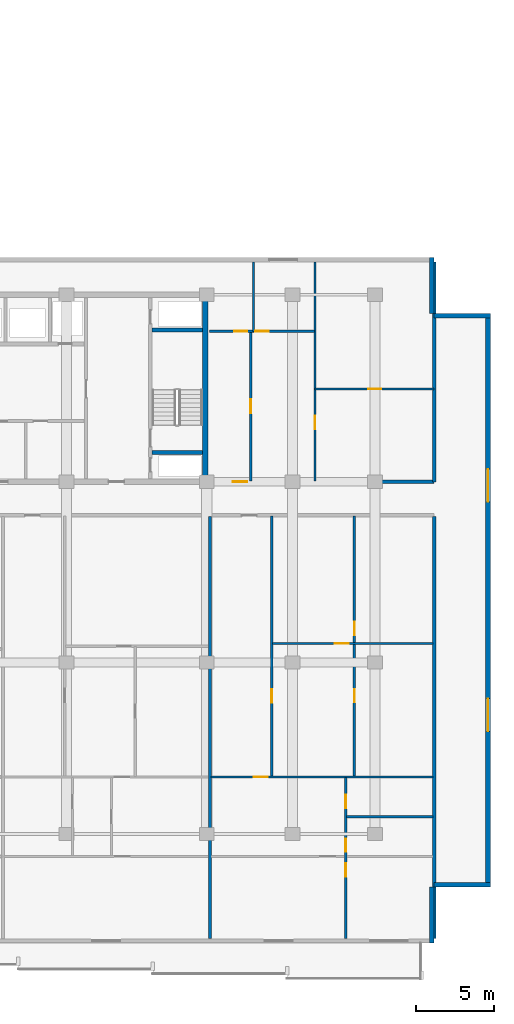
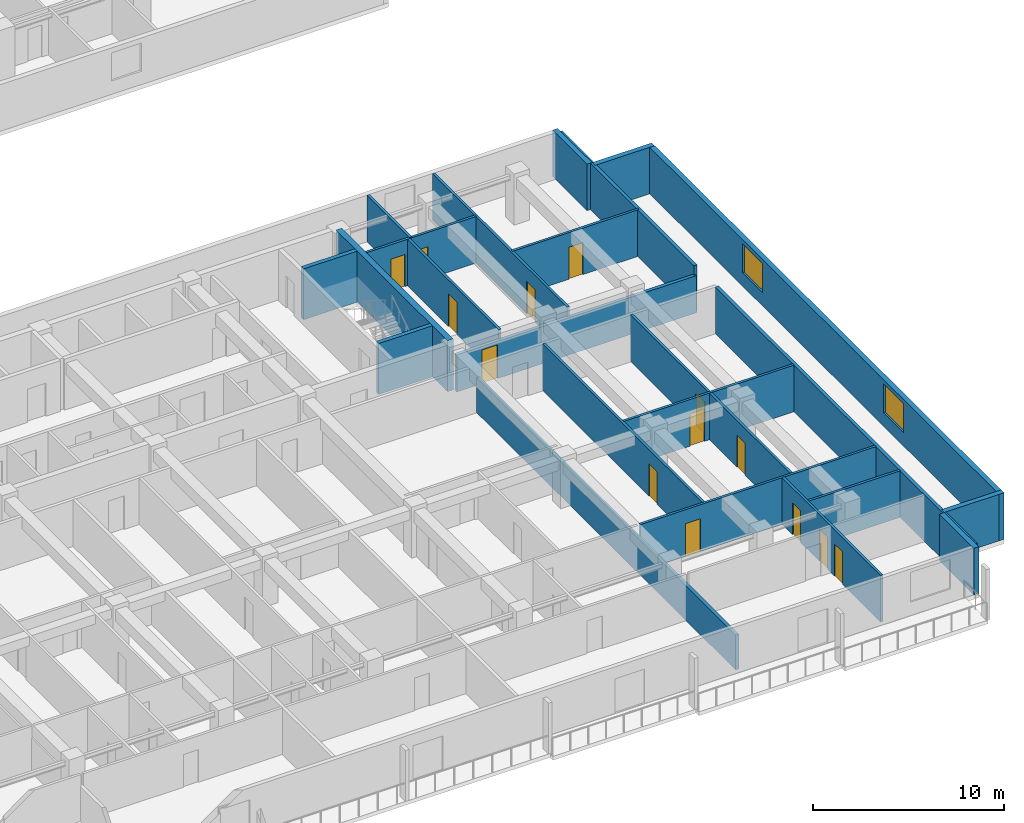
# One storey, part 8 of 23: 23 walls, 14 doors, 2 windows, 16 openings.
"""IFC4 building model written with IfcOpenShell, lengths in metres."""

from ifc_helpers import new_model, si_unit, direction, frame, frame_2d, origin, place, context, subcontext, project, spatial, rectangle, extrude, material, layer, layer_set, type_object, element, fill, save


model = new_model("IFC4")

# Units and contexts
model_context = context("Model", 3, precision=1e-05, world=origin(), true_north=direction((0.0, 1.0)))
body_context = subcontext(model_context, "Body", "Model", "MODEL_VIEW")
ifc_project = project(units=[si_unit("LENGTHUNIT", "METRE"), si_unit("AREAUNIT", "SQUARE_METRE"), si_unit("VOLUMEUNIT", "CUBIC_METRE"), si_unit("PLANEANGLEUNIT", "RADIAN"), si_unit("MASSUNIT", "GRAM", prefix="KILO")], contexts=[model_context])

# Site, building, storey
site_placement = place(None, origin())
site = spatial("IfcSite", under=ifc_project, at=site_placement, CompositionType="ELEMENT")
building_placement = place(site_placement, origin())
building = spatial("IfcBuilding", under=site, at=building_placement, Name="Korimba Cascade Residences", CompositionType="ELEMENT")
storey_placement = place(building_placement, frame((0.0, 0.0, 30.5)))
storey = spatial("IfcBuildingStorey", under=building, at=storey_placement, Name="L07", CompositionType="ELEMENT", Elevation=30.5)

# Walls
ifc_material_1 = material(Name="Precast concrete C40/50", Category="concrete")
ifc_layer_1 = layer(ifc_material_1, 0.300048828125)
ifc_layer_set_1 = layer_set([ifc_layer_1], Name="Precast concrete C40/50")
wall_type_1 = type_object("IfcWallType", Name="EW-STONE-300", PredefinedType="STANDARD", material=ifc_layer_set_1)
wall_1_placement = place(storey_placement, frame((132.550048828125, -11.199951171875, 0.0), z_axis=(0.0, 0.0, 1.0), x_axis=(0.0, 1.0, 0.0)))
element("IfcWall", 1, at=wall_1_placement, inside=storey, type_object=wall_type_1, Name="L07 T2 Perimeter Stone Wall E01", PredefinedType="STANDARD", context=body_context, shape_type="SweptSolid", body=[
    extrude(rectangle(XDim=3.599853515625, YDim=0.300048828125, at=frame_2d((1.7998046875, 0.0))), origin(), (0.0, 0.0, 1.0), 2.969970703125),
])
wall_2_placement = place(storey_placement, frame((132.699951171875, -7.449951171875, 0.0), z_axis=(0.0, 0.0, 1.0), x_axis=(1.0, 0.0, 0.0)))
element("IfcWall", 2, at=wall_2_placement, inside=storey, type_object=wall_type_1, Name="L07 T2 Perimeter Stone Wall E02", PredefinedType="STANDARD", context=body_context, shape_type="SweptSolid", body=[
    extrude(rectangle(XDim=3.60009765625, YDim=0.300048828125, at=frame_2d((1.800048828125, 0.0))), origin(), (0.0, 0.0, 1.0), 2.969970703125),
])

# Wall, openings, windows
wall_3_placement = place(storey_placement, frame((136.14990234375, -7.60009765625, 0.0), z_axis=(0.0, 0.0, 1.0), x_axis=(0.0, 1.0, 0.0)))
wall_3 = element("IfcWall", 3, at=wall_3_placement, inside=storey, type_object=wall_type_1, Name="L07 T2 Perimeter Stone Wall E03", PredefinedType="STANDARD", context=body_context, shape_type="SweptSolid", body=[
    extrude(rectangle(XDim=36.800048828125, YDim=0.300048828125, at=frame_2d((18.39990234375, 0.0))), origin(), (0.0, 0.0, 1.0), 2.969970703125),
])
opening_1_placement = place(wall_3_placement, frame((9.989990234375, 0.0, 0.85009765625)))
opening_1 = element("IfcOpeningElement", 4, at=opening_1_placement, cuts=wall_3, Name="Opening W-03", PredefinedType="OPENING", context=body_context, shape_type="SweptSolid", body=[
    extrude(rectangle(XDim=2.10009765625, YDim=1.85009765625, at=frame_2d((1.050048828125, 0.925048828125))), frame((0.0, 0.16015625, 0.0), z_axis=(0.0, -1.0, 0.0), x_axis=(1.0, 0.0, 0.0)), (0.0, 0.0, 1.0), 0.320068359375),
])
opening_2_placement = place(wall_3_placement, frame((24.7099609375, 0.0, 0.85009765625)))
opening_2 = element("IfcOpeningElement", 5, at=opening_2_placement, cuts=wall_3, Name="Opening W-03", PredefinedType="OPENING", context=body_context, shape_type="SweptSolid", body=[
    extrude(rectangle(XDim=2.10009765625, YDim=1.85009765625, at=frame_2d((1.050048828125, 0.925048828125))), frame((0.0, 0.16015625, 0.0), z_axis=(0.0, -1.0, 0.0), x_axis=(1.0, 0.0, 0.0)), (0.0, 0.0, 1.0), 0.320068359375),
])
ifc_material_2 = material(Name="Double-Glazed Aluminium Window", Category="aluminium")
window_type = type_object("IfcWindowType", Name="WIN-CRN-2100", PartitioningType="DOUBLE_PANEL_HORIZONTAL", PredefinedType="WINDOW", material=ifc_material_2)
window_1_placement = place(opening_1_placement, origin())
window_1 = element("IfcWindow", 6, at=window_1_placement, inside=storey, type_object=window_type, Name="L07 T2 End View Window 3.1", OverallHeight=1.85009765625, OverallWidth=2.10009765625, PartitioningType="DOUBLE_PANEL_HORIZONTAL", PredefinedType="WINDOW", context=body_context, shape_type="SweptSolid", body=[
    extrude(rectangle(XDim=2.10009765625, YDim=1.85009765625, at=frame_2d((1.050048828125, 0.925048828125))), frame((0.0, 0.030029296875, 0.0), z_axis=(0.0, -1.0, 0.0), x_axis=(1.0, 0.0, 0.0)), (0.0, 0.0, 1.0), 0.06005859375),
])
fill(opening_1, window_1)
window_2_placement = place(opening_2_placement, origin())
window_2 = element("IfcWindow", 7, at=window_2_placement, inside=storey, type_object=window_type, Name="L07 T2 End View Window 3.2", OverallHeight=1.85009765625, OverallWidth=2.10009765625, PartitioningType="DOUBLE_PANEL_HORIZONTAL", PredefinedType="WINDOW", context=body_context, shape_type="SweptSolid", body=[
    extrude(rectangle(XDim=2.10009765625, YDim=1.85009765625, at=frame_2d((1.050048828125, 0.925048828125))), frame((0.0, 0.030029296875, 0.0), z_axis=(0.0, -1.0, 0.0), x_axis=(1.0, 0.0, 0.0)), (0.0, 0.0, 1.0), 0.06005859375),
])
fill(opening_2, window_2)

# Walls
for number, where, z_axis, x_axis, name in (
    (8, (136.300048828125, 29.050048828125, 0.0), (0.0, 0.0, 1.0), (-1.0, 0.0, 0.0), "L07 T2 Perimeter Stone Wall E04"),
    (9, (132.550048828125, 29.199951171875, 0.0), (0.0, 0.0, 1.0), (0.0, 1.0, 0.0), "L07 T2 Perimeter Stone Wall E05"),
):
    element("IfcWall", number, at=place(storey_placement, frame(where, z_axis=z_axis, x_axis=x_axis)), inside=storey, type_object=wall_type_1, Name=name, PredefinedType="STANDARD", context=body_context, shape_type="SweptSolid", body=[
        extrude(rectangle(XDim=3.60009765625, YDim=0.300048828125, at=frame_2d((1.800048828125, 0.0))), origin(), (0.0, 0.0, 1.0), 2.969970703125),
    ])
ifc_material_3 = material(Name="Concrete C65/80", Category="concrete")
ifc_layer_2 = layer(ifc_material_3, 0.35009765625)
ifc_layer_set_2 = layer_set([ifc_layer_2], Name="Concrete C65/80")
wall_type_2 = type_object("IfcWallType", Name="WAL-CORE-350", PredefinedType="SHEAR", material=ifc_layer_set_2)
wall_4_placement = place(storey_placement, frame((118.014892578125, 18.574951171875, 0.0), z_axis=(0.0, 0.0, 1.0), x_axis=(0.0, 1.0, 0.0)))
element("IfcWall", 10, at=wall_4_placement, inside=storey, type_object=wall_type_2, Name="L07 Core Shear Wall CW-L07-T2-E", PredefinedType="SHEAR", context=body_context, shape_type="SweptSolid", body=[
    extrude(rectangle(XDim=11.650146484375, YDim=0.35009765625, at=frame_2d((5.8251953125, 0.0))), origin(), (0.0, 0.0, 1.0), 3.25),
])
ifc_layer_3 = layer(ifc_material_1, 0.199951171875)
ifc_layer_set_3 = layer_set([ifc_layer_3], Name="Precast concrete C40/50")
wall_type_3 = type_object("IfcWallType", Name="WAL-IT-200", PredefinedType="PARTITIONING", material=ifc_layer_set_3)
wall_5_placement = place(storey_placement, frame((132.699951171875, 18.39990234375, 0.0), z_axis=(0.0, 0.0, 1.0), x_axis=(0.0, 1.0, 0.0)))
element("IfcWall", 11, at=wall_5_placement, inside=storey, type_object=wall_type_3, Name="L07 Partition Wall WAL-L07-T2-FE-WR", PredefinedType="PARTITIONING", context=body_context, shape_type="SweptSolid", body=[
    extrude(rectangle(XDim=14.10009765625, YDim=0.199951171875, at=frame_2d((7.050048828125, 0.0))), origin(), (0.0, 0.0, 1.0), 2.969970703125),
])

# Wall, opening, door
wall_6_placement = place(storey_placement, frame((118.25, 18.39990234375, 0.0), z_axis=(0.0, 0.0, 1.0), x_axis=(1.0, 0.0, 0.0)))
wall_6 = element("IfcWall", 12, at=wall_6_placement, inside=storey, type_object=wall_type_3, Name="L07 Partition Wall WAL-L07-T2-FE-S", PredefinedType="PARTITIONING", context=body_context, shape_type="SweptSolid", body=[
    extrude(rectangle(XDim=14.449951171875, YDim=0.199951171875, at=frame_2d((7.22509765625, 0.0))), origin(), (0.0, 0.0, 1.0), 2.3701171875),
])
opening_3_placement = place(wall_6_placement, frame((1.510009765625, 0.0, 0.0)))
opening_3 = element("IfcOpeningElement", 13, at=opening_3_placement, cuts=wall_6, Name="Opening D-UN1", PredefinedType="OPENING", context=body_context, shape_type="SweptSolid", body=[
    extrude(rectangle(XDim=0.949951171875, YDim=2.14990234375, at=frame_2d((0.47509765625, 1.074951171875))), frame((0.0, 0.10986328125, 0.0), z_axis=(0.0, -1.0, 0.0), x_axis=(1.0, 0.0, 0.0)), (0.0, 0.0, 1.0), 0.219970703125),
])
ifc_material_4 = material(Name="Fire-Rated Hardwood Apartment Entrance Door", Category="wood")
door_type_1 = type_object("IfcDoorType", Name="DR-FD60-950", OperationType="NOTDEFINED", PredefinedType="DOOR", material=ifc_material_4)
door_1_placement = place(opening_3_placement, origin())
door_1 = element("IfcDoor", 14, at=door_1_placement, inside=storey, type_object=door_type_1, Name="L07-T2-FE Entrance Door", OperationType="SINGLE_SWING_LEFT", OverallHeight=2.14990234375, OverallWidth=0.949951171875, PredefinedType="DOOR", context=body_context, shape_type="SweptSolid", body=[
    extrude(rectangle(XDim=0.949951171875, YDim=2.14990234375, at=frame_2d((0.47509765625, 1.074951171875))), frame((0.0, 0.02490234375, 0.0), z_axis=(0.0, -1.0, 0.0), x_axis=(1.0, 0.0, 0.0)), (0.0, 0.0, 1.0), 0.050048828125),
])
fill(opening_3, door_1)

# Walls
wall_7_placement = place(storey_placement, frame((132.699951171875, -10.89990234375, 0.0), z_axis=(0.0, 0.0, 1.0), x_axis=(0.0, 1.0, 0.0)))
element("IfcWall", 15, at=wall_7_placement, inside=storey, type_object=wall_type_3, Name="L07 Partition Wall WAL-L07-T2-BNDWR", PredefinedType="PARTITIONING", context=body_context, shape_type="SweptSolid", body=[
    extrude(rectangle(XDim=27.06982421875, YDim=0.199951171875, at=frame_2d((13.534912109375, 0.0))), origin(), (0.0, 0.0, 1.0), 2.969970703125),
])
wall_8_placement = place(storey_placement, frame((118.30712890625, -10.89990234375, 0.0), z_axis=(0.0, 0.0, 1.0), x_axis=(0.0, 1.0, 0.0)))
element("IfcWall", 16, at=wall_8_placement, inside=storey, type_object=wall_type_3, Name="L07 Partition Wall WAL-L07-T2-DEM-4", PredefinedType="PARTITIONING", context=body_context, shape_type="SweptSolid", body=[
    extrude(rectangle(XDim=27.06982421875, YDim=0.199951171875, at=frame_2d((13.534912109375, 0.0))), origin(), (0.0, 0.0, 1.0), 2.219970703125),
])

# Wall, opening, door
ifc_material_5 = material(Name="Insulated Acoustic Stud Partition", Category="gypsum")
ifc_layer_4 = layer(ifc_material_5, 0.14990234375)
ifc_layer_set_4 = layer_set([ifc_layer_4], Name="Insulated Acoustic Stud Partition")
wall_type_4 = type_object("IfcWallType", Name="WAL-PART-150", PredefinedType="PARTITIONING", material=ifc_layer_set_4)
wall_9_placement = place(storey_placement, frame((125.050048828125, 24.35009765625, 0.0), z_axis=(0.0, 0.0, 1.0), x_axis=(1.0, 0.0, 0.0)))
wall_9 = element("IfcWall", 17, at=wall_9_placement, inside=storey, type_object=wall_type_4, Name="L07 Partition Wall WAL-L07-T2-FE-STH", PredefinedType="PARTITIONING", context=body_context, shape_type="SweptSolid", body=[
    extrude(rectangle(XDim=7.64990234375, YDim=0.14990234375, at=frame_2d((3.824951171875, 0.0))), origin(), (0.0, 0.0, 1.0), 2.969970703125),
])
opening_4_placement = place(wall_9_placement, frame((3.405029296875, 0.0, 0.0)))
opening_4 = element("IfcOpeningElement", 18, at=opening_4_placement, cuts=wall_9, Name="Opening D-BT1", PredefinedType="OPENING", context=body_context, shape_type="SweptSolid", body=[
    extrude(rectangle(XDim=0.840087890625, YDim=2.0400390625, at=frame_2d((0.419921875, 1.02001953125))), frame((0.0, 0.0849609375, 0.0), z_axis=(0.0, -1.0, 0.0), x_axis=(1.0, 0.0, 0.0)), (0.0, 0.0, 1.0), 0.169921875),
])
ifc_material_6 = material(Name="Moisture-Resistant Bathroom Timber Door", Category="wood")
door_type_2 = type_object("IfcDoorType", Name="DR-INT-850", OperationType="NOTDEFINED", PredefinedType="DOOR", material=ifc_material_6)
door_2_placement = place(opening_4_placement, origin())
door_2 = element("IfcDoor", 19, at=door_2_placement, inside=storey, type_object=door_type_2, Name="L07-T2-FE Dressing Store Door", OperationType="SINGLE_SWING_RIGHT", OverallHeight=2.0400390625, OverallWidth=0.840087890625, PredefinedType="DOOR", context=body_context, shape_type="SweptSolid", body=[
    extrude(rectangle(XDim=0.840087890625, YDim=2.0400390625, at=frame_2d((0.419921875, 1.02001953125))), frame((0.0, 0.02490234375, 0.0), z_axis=(0.0, -1.0, 0.0), x_axis=(1.0, 0.0, 0.0)), (0.0, 0.0, 1.0), 0.050048828125),
])
fill(opening_4, door_2)

wall_10_placement = place(storey_placement, frame((125.050048828125, 18.449951171875, 0.0), z_axis=(0.0, 0.0, 1.0), x_axis=(0.0, 1.0, 0.0)))
wall_10 = element("IfcWall", 20, at=wall_10_placement, inside=storey, type_object=wall_type_4, Name="L07 Partition Wall WAL-L07-T2-FE-STV", PredefinedType="PARTITIONING", context=body_context, shape_type="SweptSolid", body=[
    extrude(rectangle(XDim=14.050048828125, YDim=0.14990234375, at=frame_2d((7.02490234375, 0.0))), origin(), (0.0, 0.0, 1.0), 2.969970703125),
])
opening_5_placement = place(wall_10_placement, frame((3.320068359375, 0.0, 0.0)))
opening_5 = element("IfcOpeningElement", 21, at=opening_5_placement, cuts=wall_10, Name="Opening D-IN2", PredefinedType="OPENING", context=body_context, shape_type="SweptSolid", body=[
    extrude(rectangle(XDim=0.8798828125, YDim=2.06005859375, at=frame_2d((0.43994140625, 1.030029296875))), frame((0.0, 0.0849609375, 0.0), z_axis=(0.0, -1.0, 0.0), x_axis=(1.0, 0.0, 0.0)), (0.0, 0.0, 1.0), 0.169921875),
])
ifc_material_7 = material(Name="Acoustic Timber Bedroom Door", Category="wood")
door_type_3 = type_object("IfcDoorType", Name="DR-INT-880", OperationType="NOTDEFINED", PredefinedType="DOOR", material=ifc_material_7)
door_3_placement = place(opening_5_placement, origin())
door_3 = element("IfcDoor", 22, at=door_3_placement, inside=storey, type_object=door_type_3, Name="L07-T2-FE Study Door", OperationType="SINGLE_SWING_LEFT", OverallHeight=2.06005859375, OverallWidth=0.8798828125, PredefinedType="DOOR", context=body_context, shape_type="SweptSolid", body=[
    extrude(rectangle(XDim=0.8798828125, YDim=2.06005859375, at=frame_2d((0.43994140625, 1.030029296875))), frame((0.0, 0.02490234375, 0.0), z_axis=(0.0, -1.0, 0.0), x_axis=(1.0, 0.0, 0.0)), (0.0, 0.0, 1.0), 0.050048828125),
])
fill(opening_5, door_3)

wall_11_placement = place(storey_placement, frame((120.929931640625, 18.449951171875, 0.0), z_axis=(0.0, 0.0, 1.0), x_axis=(0.0, 1.0, 0.0)))
wall_11 = element("IfcWall", 23, at=wall_11_placement, inside=storey, type_object=wall_type_4, Name="L07 Partition Wall WAL-L07-T2-FE-VS", PredefinedType="PARTITIONING", context=body_context, shape_type="SweptSolid", body=[
    extrude(rectangle(XDim=9.60009765625, YDim=0.14990234375, at=frame_2d((4.800048828125, 0.0))), origin(), (0.0, 0.0, 1.0), 2.969970703125),
])
opening_6_placement = place(wall_11_placement, frame((4.340087890625, 0.0, 0.0)))
opening_6 = element("IfcOpeningElement", 24, at=opening_6_placement, cuts=wall_11, Name="Opening D-IN1", PredefinedType="OPENING", context=body_context, shape_type="SweptSolid", body=[
    extrude(rectangle(XDim=0.919921875, YDim=2.080078125, at=frame_2d((0.4599609375, 1.0400390625))), frame((0.0, 0.0849609375, 0.0), z_axis=(0.0, -1.0, 0.0), x_axis=(1.0, 0.0, 0.0)), (0.0, 0.0, 1.0), 0.169921875),
])
ifc_material_8 = material(Name="Acoustic Timber Living Door", Category="wood")
door_type_4 = type_object("IfcDoorType", Name="DR-INT-920", OperationType="NOTDEFINED", PredefinedType="DOOR", material=ifc_material_8)
door_4_placement = place(opening_6_placement, origin())
door_4 = element("IfcDoor", 25, at=door_4_placement, inside=storey, type_object=door_type_4, Name="L07-T2-FE Living Door", OperationType="SINGLE_SWING_RIGHT", OverallHeight=2.080078125, OverallWidth=0.919921875, PredefinedType="DOOR", context=body_context, shape_type="SweptSolid", body=[
    extrude(rectangle(XDim=0.919921875, YDim=2.080078125, at=frame_2d((0.4599609375, 1.0400390625))), frame((0.0, 0.02490234375, 0.0), z_axis=(0.0, -1.0, 0.0), x_axis=(1.0, 0.0, 0.0)), (0.0, 0.0, 1.0), 0.050048828125),
])
fill(opening_6, door_4)

# Wall
wall_12_placement = place(storey_placement, frame((121.10009765625, 28.050048828125, 0.0), z_axis=(0.0, 0.0, 1.0), x_axis=(0.0, 1.0, 0.0)))
element("IfcWall", 26, at=wall_12_placement, inside=storey, type_object=wall_type_4, Name="L07 Partition Wall WAL-L07-T2-FE-VN", PredefinedType="PARTITIONING", context=body_context, shape_type="SweptSolid", body=[
    extrude(rectangle(XDim=4.449951171875, YDim=0.14990234375, at=frame_2d((2.22509765625, 0.0))), origin(), (0.0, 0.0, 1.0), 2.969970703125),
])

# Wall, openings, doors
wall_13_placement = place(storey_placement, frame((118.27001953125, 28.050048828125, 0.0), z_axis=(0.0, 0.0, 1.0), x_axis=(1.0, 0.0, 0.0)))
wall_13 = element("IfcWall", 27, at=wall_13_placement, inside=storey, type_object=wall_type_4, Name="L07 Partition Wall WAL-L07-T2-FE-H", PredefinedType="PARTITIONING", context=body_context, shape_type="SweptSolid", body=[
    extrude(rectangle(XDim=6.760009765625, YDim=0.14990234375, at=frame_2d((3.3798828125, 0.0))), origin(), (0.0, 0.0, 1.0), 2.969970703125),
])
opening_7_placement = place(wall_13_placement, frame((1.58740234375, 0.0, 0.0)))
opening_7 = element("IfcOpeningElement", 28, at=opening_7_placement, cuts=wall_13, Name="Opening D-BT1", PredefinedType="OPENING", context=body_context, shape_type="SweptSolid", body=[
    extrude(rectangle(XDim=0.840087890625, YDim=2.0400390625, at=frame_2d((0.419921875, 1.02001953125))), frame((0.0, 0.0849609375, 0.0), z_axis=(0.0, -1.0, 0.0), x_axis=(1.0, 0.0, 0.0)), (0.0, 0.0, 1.0), 0.169921875),
])
opening_8_placement = place(wall_13_placement, frame((2.93408203125, 0.0, 0.0)))
opening_8 = element("IfcOpeningElement", 29, at=opening_8_placement, cuts=wall_13, Name="Opening D-IN2", PredefinedType="OPENING", context=body_context, shape_type="SweptSolid", body=[
    extrude(rectangle(XDim=0.8798828125, YDim=2.06005859375, at=frame_2d((0.43994140625, 1.030029296875))), frame((0.0, 0.0849609375, 0.0), z_axis=(0.0, -1.0, 0.0), x_axis=(1.0, 0.0, 0.0)), (0.0, 0.0, 1.0), 0.169921875),
])
door_5_placement = place(opening_7_placement, origin())
door_5 = element("IfcDoor", 30, at=door_5_placement, inside=storey, type_object=door_type_2, Name="L07-T2-FE Bathroom Door", OperationType="SINGLE_SWING_LEFT", OverallHeight=2.0400390625, OverallWidth=0.840087890625, PredefinedType="DOOR", context=body_context, shape_type="SweptSolid", body=[
    extrude(rectangle(XDim=0.840087890625, YDim=2.0400390625, at=frame_2d((0.419921875, 1.02001953125))), frame((0.0, 0.02490234375, 0.0), z_axis=(0.0, -1.0, 0.0), x_axis=(1.0, 0.0, 0.0)), (0.0, 0.0, 1.0), 0.050048828125),
])
fill(opening_7, door_5)
door_6_placement = place(opening_8_placement, origin())
door_6 = element("IfcDoor", 31, at=door_6_placement, inside=storey, type_object=door_type_3, Name="L07-T2-FE Bedroom Door", OperationType="SINGLE_SWING_RIGHT", OverallHeight=2.06005859375, OverallWidth=0.8798828125, PredefinedType="DOOR", context=body_context, shape_type="SweptSolid", body=[
    extrude(rectangle(XDim=0.8798828125, YDim=2.06005859375, at=frame_2d((0.43994140625, 1.030029296875))), frame((0.0, 0.02490234375, 0.0), z_axis=(0.0, -1.0, 0.0), x_axis=(1.0, 0.0, 0.0)), (0.0, 0.0, 1.0), 0.050048828125),
])
fill(opening_8, door_6)

wall_14_placement = place(storey_placement, frame((127.57861328125, -0.510009765625, 0.0), z_axis=(0.0, 0.0, 1.0), x_axis=(0.0, 1.0, 0.0)))
wall_14 = element("IfcWall", 32, at=wall_14_placement, inside=storey, type_object=wall_type_4, Name="L07 Partition Wall WAL-L07-T2-U05-FMV", PredefinedType="PARTITIONING", context=body_context, shape_type="SweptSolid", body=[
    extrude(rectangle(XDim=16.699951171875, YDim=0.14990234375, at=frame_2d((8.35009765625, 0.0))), origin(), (0.0, 0.0, 1.0), 2.969970703125),
])
opening_9_placement = place(wall_14_placement, frame((4.745849609375, 0.0, 0.0)))
opening_9 = element("IfcOpeningElement", 33, at=opening_9_placement, cuts=wall_14, Name="Opening D-BT1", PredefinedType="OPENING", context=body_context, shape_type="SweptSolid", body=[
    extrude(rectangle(XDim=0.840087890625, YDim=2.0400390625, at=frame_2d((0.419921875, 1.02001953125))), frame((0.0, 0.0849609375, 0.0), z_axis=(0.0, -1.0, 0.0), x_axis=(1.0, 0.0, 0.0)), (0.0, 0.0, 1.0), 0.169921875),
])
opening_10_placement = place(wall_14_placement, frame((9.047607421875, 0.0, 0.0)))
opening_10 = element("IfcOpeningElement", 34, at=opening_10_placement, cuts=wall_14, Name="Opening D-IN2", PredefinedType="OPENING", context=body_context, shape_type="SweptSolid", body=[
    extrude(rectangle(XDim=0.8798828125, YDim=2.06005859375, at=frame_2d((0.43994140625, 1.030029296875))), frame((0.0, 0.0849609375, 0.0), z_axis=(0.0, -1.0, 0.0), x_axis=(1.0, 0.0, 0.0)), (0.0, 0.0, 1.0), 0.169921875),
])
door_7_placement = place(opening_9_placement, origin())
door_7 = element("IfcDoor", 35, at=door_7_placement, inside=storey, type_object=door_type_2, Name="L07-T2-U05 Wardrobe Door", OperationType="SINGLE_SWING_RIGHT", OverallHeight=2.0400390625, OverallWidth=0.840087890625, PredefinedType="DOOR", context=body_context, shape_type="SweptSolid", body=[
    extrude(rectangle(XDim=0.840087890625, YDim=2.0400390625, at=frame_2d((0.419921875, 1.02001953125))), frame((0.0, 0.02490234375, 0.0), z_axis=(0.0, -1.0, 0.0), x_axis=(1.0, 0.0, 0.0)), (0.0, 0.0, 1.0), 0.050048828125),
])
fill(opening_9, door_7)
door_8_placement = place(opening_10_placement, origin())
door_8 = element("IfcDoor", 36, at=door_8_placement, inside=storey, type_object=door_type_3, Name="L07-T2-U05 Music Lounge Door", OperationType="SINGLE_SWING_LEFT", OverallHeight=2.06005859375, OverallWidth=0.8798828125, PredefinedType="DOOR", context=body_context, shape_type="SweptSolid", body=[
    extrude(rectangle(XDim=0.8798828125, YDim=2.06005859375, at=frame_2d((0.43994140625, 1.030029296875))), frame((0.0, 0.02490234375, 0.0), z_axis=(0.0, -1.0, 0.0), x_axis=(1.0, 0.0, 0.0)), (0.0, 0.0, 1.0), 0.050048828125),
])
fill(opening_10, door_8)

# Wall, opening, door
wall_15_placement = place(storey_placement, frame((122.337158203125, 8.02001953125, 0.0), z_axis=(0.0, 0.0, 1.0), x_axis=(1.0, 0.0, 0.0)))
wall_15 = element("IfcWall", 37, at=wall_15_placement, inside=storey, type_object=wall_type_4, Name="L07 Partition Wall WAL-L07-T2-U05-FMH", PredefinedType="PARTITIONING", context=body_context, shape_type="SweptSolid", body=[
    extrude(rectangle(XDim=10.282958984375, YDim=0.14990234375, at=frame_2d((5.1416015625, 0.0))), origin(), (0.0, 0.0, 1.0), 2.969970703125),
])
opening_11_placement = place(wall_15_placement, frame((3.98974609375, 0.0, 0.0)))
opening_11 = element("IfcOpeningElement", 38, at=opening_11_placement, cuts=wall_15, Name="Opening D-IN2", PredefinedType="OPENING", context=body_context, shape_type="SweptSolid", body=[
    extrude(rectangle(XDim=0.8798828125, YDim=2.06005859375, at=frame_2d((0.43994140625, 1.030029296875))), frame((0.0, 0.0849609375, 0.0), z_axis=(0.0, -1.0, 0.0), x_axis=(1.0, 0.0, 0.0)), (0.0, 0.0, 1.0), 0.169921875),
])
door_9_placement = place(opening_11_placement, origin())
door_9 = element("IfcDoor", 39, at=door_9_placement, inside=storey, type_object=door_type_3, Name="L07-T2-U05 Library Salon Door", OperationType="SINGLE_SWING_RIGHT", OverallHeight=2.06005859375, OverallWidth=0.8798828125, PredefinedType="DOOR", context=body_context, shape_type="SweptSolid", body=[
    extrude(rectangle(XDim=0.8798828125, YDim=2.06005859375, at=frame_2d((0.43994140625, 1.030029296875))), frame((0.0, 0.02490234375, 0.0), z_axis=(0.0, -1.0, 0.0), x_axis=(1.0, 0.0, 0.0)), (0.0, 0.0, 1.0), 0.050048828125),
])
fill(opening_11, door_9)

wall_16_placement = place(storey_placement, frame((122.277099609375, -0.510009765625, 0.0), z_axis=(0.0, 0.0, 1.0), x_axis=(0.0, 1.0, 0.0)))
wall_16 = element("IfcWall", 40, at=wall_16_placement, inside=storey, type_object=wall_type_4, Name="L07 Partition Wall WAL-L07-T2-U05-FV", PredefinedType="PARTITIONING", context=body_context, shape_type="SweptSolid", body=[
    extrude(rectangle(XDim=16.699951171875, YDim=0.14990234375, at=frame_2d((8.35009765625, 0.0))), origin(), (0.0, 0.0, 1.0), 2.969970703125),
])
opening_12_placement = place(wall_16_placement, frame((4.720947265625, 0.0, 0.0)))
opening_12 = element("IfcOpeningElement", 41, at=opening_12_placement, cuts=wall_16, Name="Opening D-IN2", PredefinedType="OPENING", context=body_context, shape_type="SweptSolid", body=[
    extrude(rectangle(XDim=0.8798828125, YDim=2.06005859375, at=frame_2d((0.43994140625, 1.030029296875))), frame((0.0, 0.0849609375, 0.0), z_axis=(0.0, -1.0, 0.0), x_axis=(1.0, 0.0, 0.0)), (0.0, 0.0, 1.0), 0.169921875),
])
door_10_placement = place(opening_12_placement, origin())
door_10 = element("IfcDoor", 42, at=door_10_placement, inside=storey, type_object=door_type_3, Name="L07-T2-U05 Media Lounge Door", OperationType="SINGLE_SWING_LEFT", OverallHeight=2.06005859375, OverallWidth=0.8798828125, PredefinedType="DOOR", context=body_context, shape_type="SweptSolid", body=[
    extrude(rectangle(XDim=0.8798828125, YDim=2.06005859375, at=frame_2d((0.43994140625, 1.030029296875))), frame((0.0, 0.02490234375, 0.0), z_axis=(0.0, -1.0, 0.0), x_axis=(1.0, 0.0, 0.0)), (0.0, 0.0, 1.0), 0.050048828125),
])
fill(opening_12, door_10)

# Wall
wall_17_placement = place(storey_placement, frame((127.080078125, -3.090087890625, 0.0), z_axis=(0.0, 0.0, 1.0), x_axis=(1.0, 0.0, 0.0)))
element("IfcWall", 43, at=wall_17_placement, inside=storey, type_object=wall_type_4, Name="L07 Partition Wall WAL-L07-T2-U05-BLDIV", PredefinedType="PARTITIONING", context=body_context, shape_type="SweptSolid", body=[
    extrude(rectangle(XDim=5.5400390625, YDim=0.14990234375, at=frame_2d((2.77001953125, 0.0))), origin(), (0.0, 0.0, 1.0), 2.969970703125),
])

# Wall, openings, doors
wall_18_placement = place(storey_placement, frame((127.02001953125, -10.89990234375, 0.0), z_axis=(0.0, 0.0, 1.0), x_axis=(0.0, 1.0, 0.0)))
wall_18 = element("IfcWall", 44, at=wall_18_placement, inside=storey, type_object=wall_type_4, Name="L07 Partition Wall WAL-L07-T2-U05-V1", PredefinedType="PARTITIONING", context=body_context, shape_type="SweptSolid", body=[
    extrude(rectangle(XDim=10.309814453125, YDim=0.14990234375, at=frame_2d((5.15478515625, 0.0))), origin(), (0.0, 0.0, 1.0), 2.969970703125),
])
opening_13_placement = place(wall_18_placement, frame((5.550048828125, 0.0, 0.0)))
opening_13 = element("IfcOpeningElement", 45, at=opening_13_placement, cuts=wall_18, Name="Opening D-BT1", PredefinedType="OPENING", context=body_context, shape_type="SweptSolid", body=[
    extrude(rectangle(XDim=0.840087890625, YDim=2.0400390625, at=frame_2d((0.419921875, 1.02001953125))), frame((0.0, 0.0849609375, 0.0), z_axis=(0.0, -1.0, 0.0), x_axis=(1.0, 0.0, 0.0)), (0.0, 0.0, 1.0), 0.169921875),
])
opening_14_placement = place(wall_18_placement, frame((8.362060546875, 0.0, 0.0)))
opening_14 = element("IfcOpeningElement", 46, at=opening_14_placement, cuts=wall_18, Name="Opening D-BT1", PredefinedType="OPENING", context=body_context, shape_type="SweptSolid", body=[
    extrude(rectangle(XDim=0.840087890625, YDim=2.0400390625, at=frame_2d((0.419921875, 1.02001953125))), frame((0.0, 0.0849609375, 0.0), z_axis=(0.0, -1.0, 0.0), x_axis=(1.0, 0.0, 0.0)), (0.0, 0.0, 1.0), 0.169921875),
])
opening_15_placement = place(wall_18_placement, frame((3.949951171875, 0.0, 0.0)))
opening_15 = element("IfcOpeningElement", 47, at=opening_15_placement, cuts=wall_18, Name="Opening D-IN2", PredefinedType="OPENING", context=body_context, shape_type="SweptSolid", body=[
    extrude(rectangle(XDim=0.8798828125, YDim=2.06005859375, at=frame_2d((0.43994140625, 1.030029296875))), frame((0.0, 0.0849609375, 0.0), z_axis=(0.0, -1.0, 0.0), x_axis=(1.0, 0.0, 0.0)), (0.0, 0.0, 1.0), 0.169921875),
])
door_11_placement = place(opening_13_placement, origin())
door_11 = element("IfcDoor", 48, at=door_11_placement, inside=storey, type_object=door_type_2, Name="L07-T2-U05 Bathroom Door", OperationType="SINGLE_SWING_RIGHT", OverallHeight=2.0400390625, OverallWidth=0.840087890625, PredefinedType="DOOR", context=body_context, shape_type="SweptSolid", body=[
    extrude(rectangle(XDim=0.840087890625, YDim=2.0400390625, at=frame_2d((0.419921875, 1.02001953125))), frame((0.0, 0.02490234375, 0.0), z_axis=(0.0, -1.0, 0.0), x_axis=(1.0, 0.0, 0.0)), (0.0, 0.0, 1.0), 0.050048828125),
])
fill(opening_13, door_11)
door_12_placement = place(opening_14_placement, origin())
door_12 = element("IfcDoor", 49, at=door_12_placement, inside=storey, type_object=door_type_2, Name="L07-T2-U05 Laundry Door", OperationType="SINGLE_SWING_LEFT", OverallHeight=2.0400390625, OverallWidth=0.840087890625, PredefinedType="DOOR", context=body_context, shape_type="SweptSolid", body=[
    extrude(rectangle(XDim=0.840087890625, YDim=2.0400390625, at=frame_2d((0.419921875, 1.02001953125))), frame((0.0, 0.02490234375, 0.0), z_axis=(0.0, -1.0, 0.0), x_axis=(1.0, 0.0, 0.0)), (0.0, 0.0, 1.0), 0.050048828125),
])
fill(opening_14, door_12)
door_13_placement = place(opening_15_placement, origin())
door_13 = element("IfcDoor", 50, at=door_13_placement, inside=storey, type_object=door_type_3, Name="L07-T2-U05 Bedroom 1 Door", OperationType="SINGLE_SWING_RIGHT", OverallHeight=2.06005859375, OverallWidth=0.8798828125, PredefinedType="DOOR", context=body_context, shape_type="SweptSolid", body=[
    extrude(rectangle(XDim=0.8798828125, YDim=2.06005859375, at=frame_2d((0.43994140625, 1.030029296875))), frame((0.0, 0.02490234375, 0.0), z_axis=(0.0, -1.0, 0.0), x_axis=(1.0, 0.0, 0.0)), (0.0, 0.0, 1.0), 0.050048828125),
])
fill(opening_15, door_13)

# Wall, opening, door
wall_19_placement = place(storey_placement, frame((118.38720703125, -0.550048828125, 0.0), z_axis=(0.0, 0.0, 1.0), x_axis=(1.0, 0.0, 0.0)))
wall_19 = element("IfcWall", 51, at=wall_19_placement, inside=storey, type_object=wall_type_4, Name="L07 Partition Wall WAL-L07-T2-U05-MW", PredefinedType="PARTITIONING", context=body_context, shape_type="SweptSolid", body=[
    extrude(rectangle(XDim=14.23291015625, YDim=0.14990234375, at=frame_2d((7.116455078125, 0.0))), origin(), (0.0, 0.0, 1.0), 2.969970703125),
])
opening_16_placement = place(wall_19_placement, frame((2.719970703125, 0.0, 0.0)))
opening_16 = element("IfcOpeningElement", 52, at=opening_16_placement, cuts=wall_19, Name="Opening D-IN1", PredefinedType="OPENING", context=body_context, shape_type="SweptSolid", body=[
    extrude(rectangle(XDim=0.919921875, YDim=2.080078125, at=frame_2d((0.4599609375, 1.0400390625))), frame((0.0, 0.0849609375, 0.0), z_axis=(0.0, -1.0, 0.0), x_axis=(1.0, 0.0, 0.0)), (0.0, 0.0, 1.0), 0.169921875),
])
door_14_placement = place(opening_16_placement, origin())
door_14 = element("IfcDoor", 53, at=door_14_placement, inside=storey, type_object=door_type_4, Name="L07-T2-U05 Kitchen Archway Door", OperationType="SINGLE_SWING_LEFT", OverallHeight=2.080078125, OverallWidth=0.919921875, PredefinedType="DOOR", context=body_context, shape_type="SweptSolid", body=[
    extrude(rectangle(XDim=0.919921875, YDim=2.080078125, at=frame_2d((0.4599609375, 1.0400390625))), frame((0.0, 0.02490234375, 0.0), z_axis=(0.0, -1.0, 0.0), x_axis=(1.0, 0.0, 0.0)), (0.0, 0.0, 1.0), 0.050048828125),
])
fill(opening_16, door_14)

# Walls
ifc_material_9 = material(Name="Concrete C50/60", Category="concrete")
ifc_layer_5 = layer(ifc_material_9, 0.25)
ifc_layer_set_5 = layer_set([ifc_layer_5], Name="Concrete C50/60")
wall_type_5 = type_object("IfcWallType", Name="WAL-SHAFT-250", PredefinedType="SHEAR", material=ifc_layer_set_5)
for number, where, z_axis, x_axis, name in (
    (54, (114.60009765625, 20.27490234375, 0.0), (0.0, 0.0, 1.0), (1.0, 0.0, 0.0), "L07 Core Shear Wall CW-L07-T2-STE2S"),
    (55, (114.60009765625, 28.125, 0.0), (0.0, 0.0, 1.0), (1.0, 0.0, 0.0), "L07 Core Shear Wall CW-L07-T2-STE2N"),
):
    element("IfcWall", number, at=place(storey_placement, frame(where, z_axis=z_axis, x_axis=x_axis)), inside=storey, type_object=wall_type_5, Name=name, PredefinedType="SHEAR", context=body_context, shape_type="SweptSolid", body=[
        extrude(rectangle(XDim=3.239990234375, YDim=0.25, at=frame_2d((1.6201171875, 0.0))), origin(), (0.0, 0.0, 1.0), 3.25),
    ])

save(model, "model.ifc")
